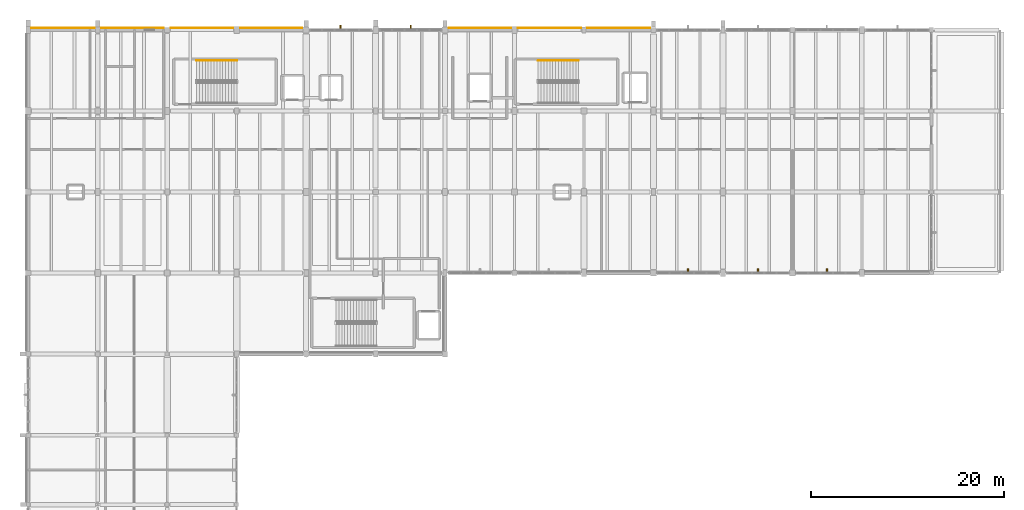
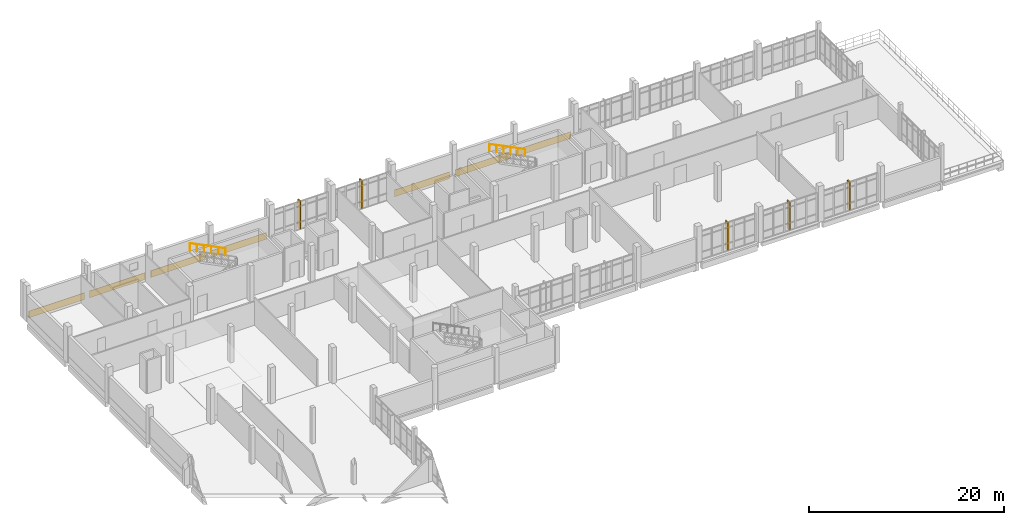
# One storey, part 61 of 62: 7 coverings, 5 shading devices, 2 railings.
"""IFC4 building model written with IfcOpenShell, lengths in metres."""

from ifc_helpers import new_model, si_unit, direction, frame, origin, origin_2d, place, context, subcontext, project, spatial, rectangle, circle, extrude, material, layer, layer_set, type_object, element, save


model = new_model("IFC4")

# Units and contexts
model_context = context("Model", 3, precision=1e-05, world=origin(), true_north=direction((0.0, 1.0)))
body_context = subcontext(model_context, "Body", "Model", "MODEL_VIEW")
ifc_project = project(units=[si_unit("LENGTHUNIT", "METRE"), si_unit("AREAUNIT", "SQUARE_METRE"), si_unit("VOLUMEUNIT", "CUBIC_METRE"), si_unit("PLANEANGLEUNIT", "RADIAN"), si_unit("MASSUNIT", "GRAM", prefix="KILO")], contexts=[model_context])

# Site, building, storey
site_placement = place(None, origin())
site = spatial("IfcSite", under=ifc_project, at=site_placement, CompositionType="ELEMENT")
building_placement = place(site_placement, origin())
building = spatial("IfcBuilding", under=site, at=building_placement, Name="Kalluvel Institute of Natural Sciences", CompositionType="ELEMENT")
storey_placement = place(building_placement, frame((0.0, 0.0, 27.89990234375)))
storey = spatial("IfcBuildingStorey", under=building, at=storey_placement, Name="L06", CompositionType="ELEMENT", Elevation=27.89990234375)

# Coverings
ifc_material_1 = material(Name="Sadarahalli Grey Granite Ashlar Concrete M40", Category="masonry")
ifc_layer = layer(ifc_material_1, 0.044921875)
ifc_layer_set = layer_set([ifc_layer], Name="Sadarahalli Grey Granite Ashlar Concrete M40")
covering_type = type_object("IfcCoveringType", Name="COV-CLAD-STONE", PredefinedType="CLADDING", material=ifc_layer_set)
covering_1_placement = place(storey_placement, frame((17.612548828125, 128.179931640625, 0.025146484375), z_axis=(0.0, 0.0, 1.0), x_axis=(1.0, 0.0, 0.0)))
element("IfcCovering", 1, at=covering_1_placement, inside=storey, type_object=covering_type, Name="L06 Sadarahalli granite plinth spandrel cladding 71", PredefinedType="CLADDING", context=body_context, shape_type="SweptSolid", body=[
    extrude(rectangle(XDim=6.56494140625, YDim=0.044921875, at=origin_2d()), origin(), (0.0, 0.0, 1.0), 0.85009765625),
])
covering_2_placement = place(storey_placement, frame((24.77490234375, 128.179931640625, 0.025146484375), z_axis=(0.0, 0.0, 1.0), x_axis=(1.0, 0.0, 0.0)))
element("IfcCovering", 2, at=covering_2_placement, inside=storey, type_object=covering_type, Name="L06 Sadarahalli granite plinth spandrel cladding 72", PredefinedType="CLADDING", context=body_context, shape_type="SweptSolid", body=[
    extrude(rectangle(XDim=6.5400390625, YDim=0.044921875, at=origin_2d()), origin(), (0.0, 0.0, 1.0), 0.85009765625),
])
covering_3_placement = place(storey_placement, frame((32.0, 128.179931640625, 0.025146484375), z_axis=(0.0, 0.0, 1.0), x_axis=(1.0, 0.0, 0.0)))
element("IfcCovering", 3, at=covering_3_placement, inside=storey, type_object=covering_type, Name="L06 Sadarahalli granite plinth spandrel cladding 73", PredefinedType="CLADDING", context=body_context, shape_type="SweptSolid", body=[
    extrude(rectangle(XDim=6.489990234375, YDim=0.044921875, at=origin_2d()), origin(), (0.0, 0.0, 1.0), 0.85009765625),
])
covering_4_placement = place(storey_placement, frame((39.1875, 128.179931640625, 0.025146484375), z_axis=(0.0, 0.0, 1.0), x_axis=(1.0, 0.0, 0.0)))
element("IfcCovering", 4, at=covering_4_placement, inside=storey, type_object=covering_type, Name="L06 Sadarahalli granite plinth spandrel cladding 74", PredefinedType="CLADDING", context=body_context, shape_type="SweptSolid", body=[
    extrude(rectangle(XDim=6.465087890625, YDim=0.044921875, at=origin_2d()), origin(), (0.0, 0.0, 1.0), 0.85009765625),
])
covering_5_placement = place(storey_placement, frame((60.824951171875, 128.179931640625, 0.025146484375), z_axis=(0.0, 0.0, 1.0), x_axis=(1.0, 0.0, 0.0)))
element("IfcCovering", 5, at=covering_5_placement, inside=storey, type_object=covering_type, Name="L06 Sadarahalli granite plinth spandrel cladding 75", PredefinedType="CLADDING", context=body_context, shape_type="SweptSolid", body=[
    extrude(rectangle(XDim=6.489990234375, YDim=0.044921875, at=origin_2d()), origin(), (0.0, 0.0, 1.0), 0.85009765625),
])
covering_6_placement = place(storey_placement, frame((68.012451171875, 128.179931640625, 0.025146484375), z_axis=(0.0, 0.0, 1.0), x_axis=(1.0, 0.0, 0.0)))
element("IfcCovering", 6, at=covering_6_placement, inside=storey, type_object=covering_type, Name="L06 Sadarahalli granite plinth spandrel cladding 76", PredefinedType="CLADDING", context=body_context, shape_type="SweptSolid", body=[
    extrude(rectangle(XDim=6.56494140625, YDim=0.044921875, at=origin_2d()), origin(), (0.0, 0.0, 1.0), 0.85009765625),
])
covering_7_placement = place(storey_placement, frame((75.175048828125, 128.179931640625, 0.025146484375), z_axis=(0.0, 0.0, 1.0), x_axis=(1.0, 0.0, 0.0)))
element("IfcCovering", 7, at=covering_7_placement, inside=storey, type_object=covering_type, Name="L06 Sadarahalli granite plinth spandrel cladding 77", PredefinedType="CLADDING", context=body_context, shape_type="SweptSolid", body=[
    extrude(rectangle(XDim=6.5400390625, YDim=0.044921875, at=origin_2d()), origin(), (0.0, 0.0, 1.0), 0.85009765625),
])

# Railings
ifc_material_2 = material(Name="Galvanized Fire-Rated Steel", Category="steel")
railing_type = type_object("IfcRailingType", Name="RL-HR-STAIR", PredefinedType="HANDRAIL", material=ifc_material_2)
for number, where, name in (
    (8, (35.64990234375, 124.820068359375, 2.400146484375), "L06 ST1 stair handrail 2"),
    (9, (71.050048828125, 124.820068359375, 2.400146484375), "L06 ST2 stair handrail 2"),
):
    element("IfcRailing", number, at=place(storey_placement, frame(where)), inside=storey, type_object=railing_type, Name=name, PredefinedType="HANDRAIL", context=body_context, shape_type="SweptSolid", body=[
        extrude(circle(Radius=0.02392578125, at=origin_2d()), frame((0.0, 0.0, 0.89599609375), z_axis=(-0.894437589381, 0.0, 0.447192798132), x_axis=(0.0, -1.0, 0.0)), (0.0, 0.0, 1.0), 4.695556640625),
        extrude(circle(Radius=0.02099609375, at=origin_2d()), origin(), (0.0, 0.0, 1.0), 0.871826171875),
        extrude(circle(Radius=0.02099609375, at=origin_2d()), frame((-0.840087890625, 0.0, 0.419921875)), (0.0, 0.0, 1.0), 0.871826171875),
        extrude(circle(Radius=0.02099609375, at=origin_2d()), frame((-1.679931640625, 0.0, 0.83984375)), (0.0, 0.0, 1.0), 0.871826171875),
        extrude(circle(Radius=0.02099609375, at=origin_2d()), frame((-2.52001953125, 0.0, 1.260009765625)), (0.0, 0.0, 1.0), 0.871826171875),
        extrude(circle(Radius=0.02099609375, at=origin_2d()), frame((-3.35986328125, 0.0, 1.679931640625)), (0.0, 0.0, 1.0), 0.871826171875),
        extrude(circle(Radius=0.02099609375, at=origin_2d()), frame((-4.199951171875, 0.0, 2.099853515625)), (0.0, 0.0, 1.0), 0.871826171875),
    ])

# Shading devices
shading_device_type = type_object("IfcShadingDeviceType", Name="SHD-FIN-STONE", PredefinedType="USERDEFINED", material=ifc_material_1)
for number, where, z_axis, x_axis, name in (
    (10, (46.362548828125, 128.219970703125, 0.0), (0.0, 0.0, 1.0), (1.0, 0.0, 0.0), "L06 monsoon lancet shading fin 77"),
    (11, (53.637451171875, 128.219970703125, 0.0), (0.0, 0.0, 1.0), (1.0, 0.0, 0.0), "L06 monsoon lancet shading fin 78"),
    (12, (82.362548828125, 103.02001953125, 0.0), (0.0, 0.0, 1.0), (1.0, 0.0, 0.0), "L06 monsoon lancet shading fin 85"),
    (13, (89.637451171875, 103.02001953125, 0.0), (0.0, 0.0, 1.0), (1.0, 0.0, 0.0), "L06 monsoon lancet shading fin 86"),
    (14, (96.77490234375, 103.02001953125, 0.0), (0.0, 0.0, 1.0), (1.0, 0.0, 0.0), "L06 monsoon lancet shading fin 87"),
):
    element("IfcShadingDevice", number, at=place(storey_placement, frame(where, z_axis=z_axis, x_axis=x_axis)), inside=storey, type_object=shading_device_type, Name=name, ObjectType="MONSOON FIN", PredefinedType="USERDEFINED", context=body_context, shape_type="SweptSolid", body=[
        extrude(rectangle(XDim=0.139892578125, YDim=0.47998046875, at=origin_2d()), origin(), (0.0, 0.0, 1.0), 3.530029296875),
    ])

save(model, "model.ifc")
